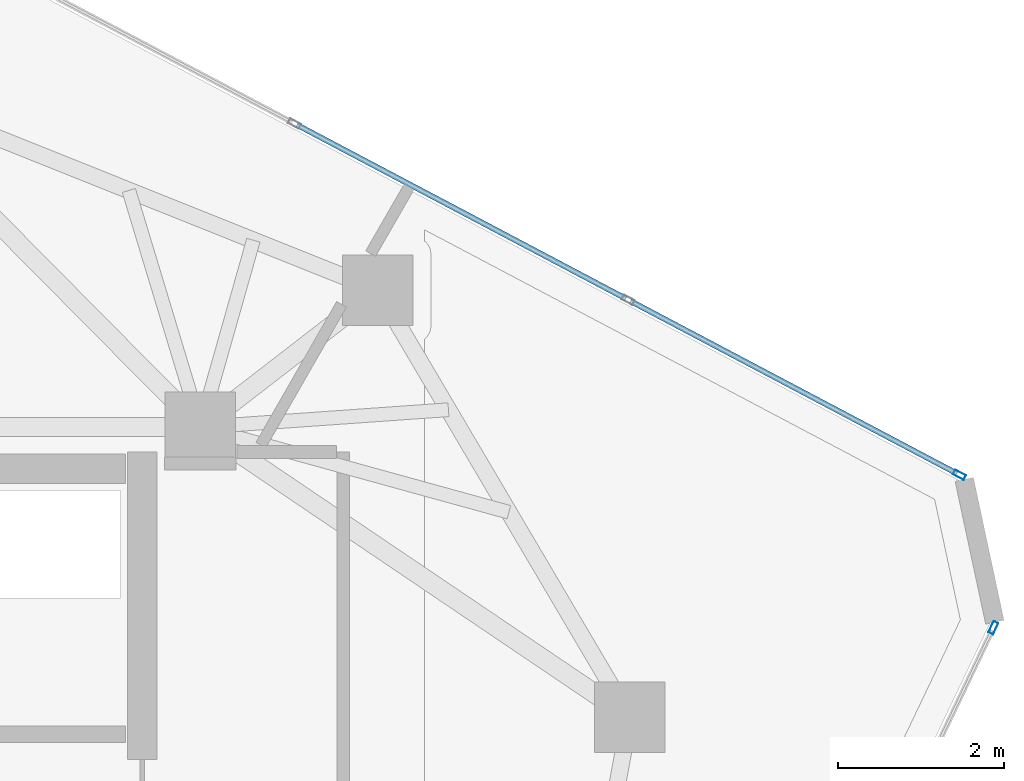
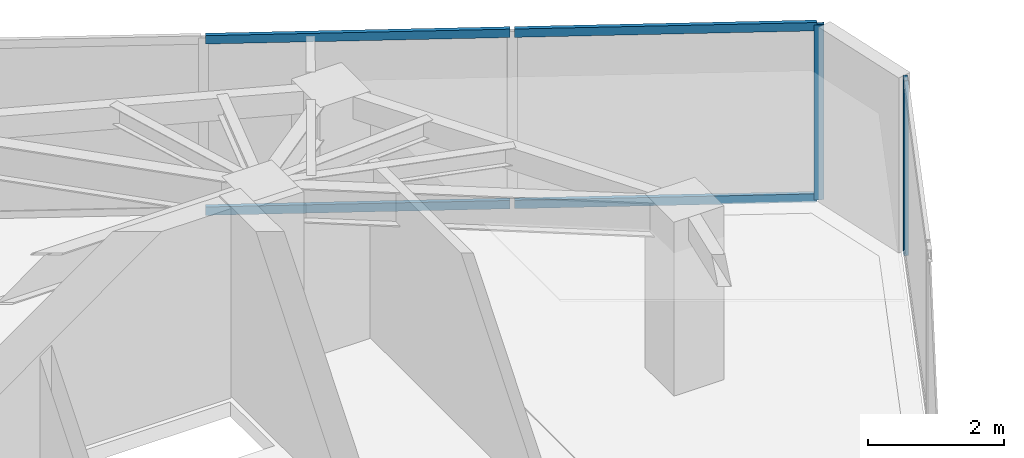
# One storey, part 15 of 20: 6 members, 2 elements without a shape of their own.
"""IFC4 building model written with IfcOpenShell, lengths in metres."""

from ifc_helpers import new_model, si_unit, direction, frame, origin, origin_2d, place, context, subcontext, project, spatial, hollow_rectangle, extrude, source, transform, mapped, material, layer, layer_set, material_profile, profile_set, type_object, type_shapes, element, aggregate, save


model = new_model("IFC4")

# Units and contexts
model_context = context("Model", 3, precision=1e-05, world=origin(), true_north=direction((0.0, 1.0)))
body_context = subcontext(model_context, "Body", "Model", "MODEL_VIEW")
ifc_project = project(units=[si_unit("LENGTHUNIT", "METRE"), si_unit("AREAUNIT", "SQUARE_METRE"), si_unit("VOLUMEUNIT", "CUBIC_METRE"), si_unit("PLANEANGLEUNIT", "RADIAN"), si_unit("MASSUNIT", "GRAM", prefix="KILO")], contexts=[model_context])

# Site, building, storey
site_placement = place(None, origin())
site = spatial("IfcSite", under=ifc_project, at=site_placement, CompositionType="ELEMENT")
building_placement = place(site_placement, origin())
building = spatial("IfcBuilding", under=site, at=building_placement, Name="Talar Marvaseh", CompositionType="ELEMENT")
storey_placement = place(building_placement, frame((0.0, 0.0, 281.60009765625)))
storey = spatial("IfcBuildingStorey", under=building, at=storey_placement, Name="L75", CompositionType="ELEMENT", Elevation=281.60009765625)

# Curtain wall, member
ifc_material = material(Name="Architectural Aluminium", Category="aluminium")
ifc_layer = layer(ifc_material, 0.179931640625)
ifc_layer_set = layer_set([ifc_layer], Name="Architectural Aluminium")
curtain_wall_type = type_object("IfcCurtainWallType", Name="Unitised High-Wind Sky Curtain Wall Z4", PredefinedType="NOTDEFINED", material=ifc_layer_set)
curtain_wall_1_placement = place(storey_placement, origin())
curtain_wall_1 = element("IfcCurtainWall", 1, at=curtain_wall_1_placement, inside=storey, type_object=curtain_wall_type, Name="L75 Unitised High-Wind Sky Curtain Wall Z4", PredefinedType="NOTDEFINED")
ifc_material_profile_1 = material_profile(ifc_material, hollow_rectangle(XDim=0.06494140625, YDim=0.14990234375, WallThickness=0.00390625, at=origin_2d()), Name="RHS150x65x4")
ifc_profile_set_1 = profile_set([ifc_material_profile_1], Name="Architectural Aluminium")
member_type_1 = type_object("IfcMemberType", Name="Unitised Curtain Wall Slim Mullion RHS150x65x4", PredefinedType="MULLION", material=ifc_profile_set_1)
shared_shape_1 = source(origin(), body_context, "Body", "SweptSolid", [
    extrude(hollow_rectangle(XDim=0.06494140625, YDim=0.14990234375, WallThickness=0.00390625, at=origin_2d()), origin(), (0.0, 0.0, 1.0), 3.139892578125),
])
type_shapes(member_type_1, [shared_shape_1])
member_1_placement = place(storey_placement, frame((42.441162109375, 36.326171875, 0.0), z_axis=(0.0, 0.0, 1.0), x_axis=(0.467097989071, 0.884205557891, 0.0)))
member_1 = element("IfcMember", 2, at=member_1_placement, type_object=member_type_1, Name="CW-Z4 mullion 4", PredefinedType="MULLION", context=body_context, shape_type="MappedRepresentation", body=[
    mapped(shared_shape_1, transform((0.0, 0.0, 0.0), x_axis=(1.0, 0.0, 0.0), y_axis=(0.0, 1.0, 0.0), z_axis=(0.0, 0.0, 1.0), scale=1.0)),
])

curtain_wall_2_placement = place(storey_placement, origin())
curtain_wall_2 = element("IfcCurtainWall", 3, at=curtain_wall_2_placement, inside=storey, type_object=curtain_wall_type, Name="L75 Unitised High-Wind Sky Curtain Wall Z4", PredefinedType="NOTDEFINED")
member_2_placement = place(storey_placement, frame((42.849853515625, 34.48388671875, 0.0), z_axis=(0.0, 0.0, 1.0), x_axis=(0.902516744235, -0.430654764719, 0.0)))
member_2 = element("IfcMember", 4, at=member_2_placement, type_object=member_type_1, Name="CW-Z4 mullion 1", PredefinedType="MULLION", context=body_context, shape_type="MappedRepresentation", body=[
    mapped(shared_shape_1, transform((0.0, 0.0, 0.0), x_axis=(1.0, 0.0, 0.0), y_axis=(0.0, 1.0, 0.0), z_axis=(0.0, 0.0, 1.0), scale=1.0)),
])
aggregate(curtain_wall_2, [member_2])

# Member
ifc_material_profile_2 = material_profile(ifc_material, hollow_rectangle(XDim=0.06494140625, YDim=0.14990234375, WallThickness=0.00390625, at=origin_2d()), Name="RHS150x65x4")
ifc_profile_set_2 = profile_set([ifc_material_profile_2], Name="Architectural Aluminium")
member_type_2 = type_object("IfcMemberType", Name="Unitised Curtain Wall Slim Transom RHS150x65x4", PredefinedType="USERDEFINED", material=ifc_profile_set_2)
shared_shape_2 = source(origin(), body_context, "Body", "SweptSolid", [
    extrude(hollow_rectangle(XDim=0.06494140625, YDim=0.14990234375, WallThickness=0.00390625, at=origin_2d()), origin(), (0.0, 0.0, 1.0), 4.447265625),
])
member_3_placement = place(storey_placement, frame((38.47998046875, 38.418701171875, 0.032470703125), z_axis=(0.884224184302, -0.467062728009, 0.0), x_axis=(0.467062728009, 0.884224184302, 0.0)))
member_3 = element("IfcMember", 5, at=member_3_placement, type_object=member_type_2, Name="CW-Z4 transom 3.1", ObjectType="TRANSOM", PredefinedType="USERDEFINED", context=body_context, shape_type="MappedRepresentation", body=[
    mapped(shared_shape_2, transform((0.0, 0.0, 0.0), x_axis=(1.0, 0.0, 0.0), y_axis=(0.0, 1.0, 0.0), z_axis=(0.0, 0.0, 1.0), scale=1.0)),
])

member_4_placement = place(storey_placement, frame((38.47998046875, 38.418701171875, 3.107421875), z_axis=(0.884224184302, -0.467062728009, 0.0), x_axis=(0.467062728009, 0.884224184302, 0.0)))
member_4 = element("IfcMember", 6, at=member_4_placement, type_object=member_type_2, Name="CW-Z4 transom 3.2", ObjectType="TRANSOM", PredefinedType="USERDEFINED", context=body_context, shape_type="MappedRepresentation", body=[
    mapped(shared_shape_2, transform((0.0, 0.0, 0.0), x_axis=(1.0, 0.0, 0.0), y_axis=(0.0, 1.0, 0.0), z_axis=(0.0, 0.0, 1.0), scale=1.0)),
])

shared_shape_3 = source(origin(), body_context, "Body", "SweptSolid", [
    extrude(hollow_rectangle(XDim=0.06494140625, YDim=0.14990234375, WallThickness=0.00390625, at=origin_2d()), origin(), (0.0, 0.0, 1.0), 4.47998046875),
])
type_shapes(member_type_2, [shared_shape_2, shared_shape_3])
member_5_placement = place(storey_placement, frame((34.46142578125, 40.541748046875, 0.032470703125), z_axis=(0.884209097069, -0.467091289429, 0.0), x_axis=(0.467091289429, 0.884209097069, 0.0)))
member_5 = element("IfcMember", 7, at=member_5_placement, type_object=member_type_2, Name="CW-Z4 transom 2.1", ObjectType="TRANSOM", PredefinedType="USERDEFINED", context=body_context, shape_type="MappedRepresentation", body=[
    mapped(shared_shape_3, transform((0.0, 0.0, 0.0), x_axis=(1.0, 0.0, 0.0), y_axis=(0.0, 1.0, 0.0), z_axis=(0.0, 0.0, 1.0), scale=1.0)),
])

member_6_placement = place(storey_placement, frame((34.46142578125, 40.541748046875, 3.107421875), z_axis=(0.884209097069, -0.467091289429, 0.0), x_axis=(0.467091289429, 0.884209097069, 0.0)))
member_6 = element("IfcMember", 8, at=member_6_placement, type_object=member_type_2, Name="CW-Z4 transom 2.2", ObjectType="TRANSOM", PredefinedType="USERDEFINED", context=body_context, shape_type="MappedRepresentation", body=[
    mapped(shared_shape_3, transform((0.0, 0.0, 0.0), x_axis=(1.0, 0.0, 0.0), y_axis=(0.0, 1.0, 0.0), z_axis=(0.0, 0.0, 1.0), scale=1.0)),
])

aggregate(curtain_wall_1, [member_1, member_5, member_6, member_3, member_4])

save(model, "model.ifc")
